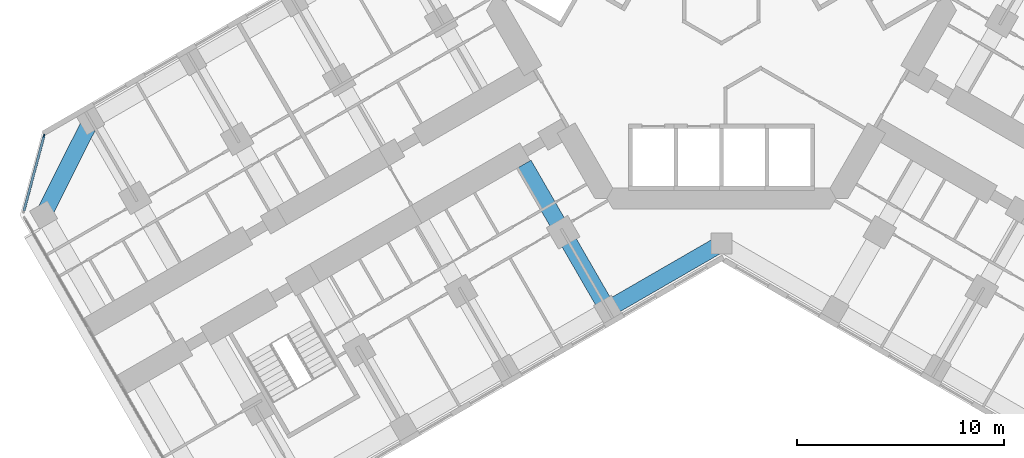
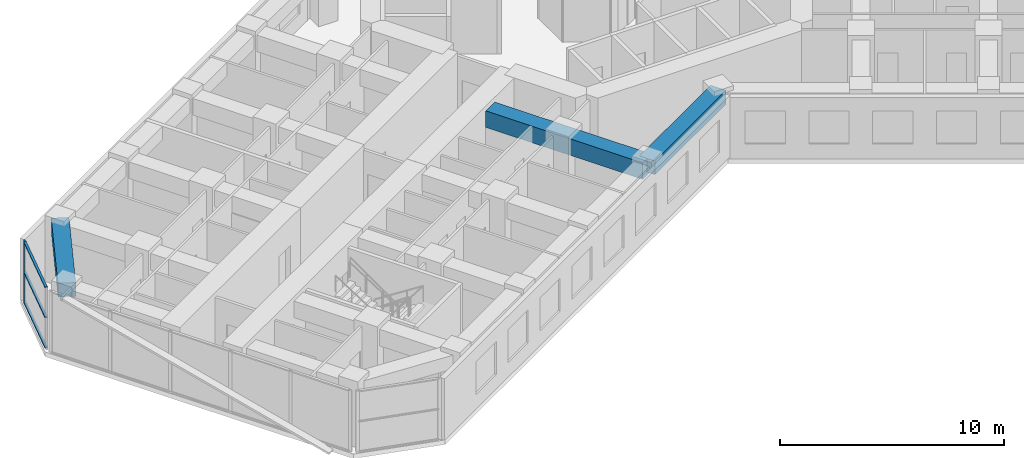
# One storey, part 3 of 21: 4 members, 3 beams, 1 element without a shape of its own.
"""IFC4 building model written with IfcOpenShell, lengths in metres."""

from ifc_helpers import new_model, si_unit, direction, frame, origin, origin_2d, place, context, subcontext, project, spatial, rectangle, extrude, material, material_profile, profile_set, type_object, element, aggregate, save


model = new_model("IFC4")

# Units and contexts
model_context = context("Model", 3, precision=1e-05, world=origin(), true_north=direction((0.0, 1.0)))
body_context = subcontext(model_context, "Body", "Model", "MODEL_VIEW")
ifc_project = project(units=[si_unit("LENGTHUNIT", "METRE"), si_unit("AREAUNIT", "SQUARE_METRE"), si_unit("VOLUMEUNIT", "CUBIC_METRE"), si_unit("PLANEANGLEUNIT", "RADIAN"), si_unit("MASSUNIT", "GRAM", prefix="KILO")], contexts=[model_context])

# Site, building, storey
site_placement = place(None, origin())
site = spatial("IfcSite", under=ifc_project, at=site_placement, CompositionType="ELEMENT")
building_placement = place(site_placement, origin())
building = spatial("IfcBuilding", under=site, at=building_placement, Name="Kosmar Iwan School Tower", CompositionType="ELEMENT")
storey_placement = place(building_placement, frame((0.0, 0.0, 57.39990234375)))
storey = spatial("IfcBuildingStorey", under=building, at=storey_placement, Name="L13", CompositionType="ELEMENT", Elevation=57.39990234375)

# Curtain wall, member
ifc_material_1 = material(Name="Dark glass in black aluminium frame", Category="aluminium")
curtain_wall_type = type_object("IfcCurtainWallType", Name="Chamfer curtain wall dark glass", PredefinedType="USERDEFINED", material=ifc_material_1)
curtain_wall_placement = place(storey_placement, origin())
curtain_wall = element("IfcCurtainWall", 1, at=curtain_wall_placement, inside=storey, type_object=curtain_wall_type, Name="Curtain wall L13-F12", ObjectType="FACETED CURTAIN WALL", PredefinedType="USERDEFINED")
ifc_material_2 = material(Name="Black anodised aluminium", Category="aluminium")
ifc_material_profile_1 = material_profile(ifc_material_2, rectangle(XDim=0.06005859375, YDim=0.159912109375, at=origin_2d()), Name="MULLION 60x160")
ifc_profile_set_1 = profile_set([ifc_material_profile_1], Name="Black anodised aluminium")
member_type_1 = type_object("IfcMemberType", Name="Mullion 60x160", PredefinedType="MULLION", material=ifc_profile_set_1)
member_1_placement = place(storey_placement, frame((-32.78076171875, -6.5732421875, 0.0), z_axis=(0.0, 0.0, 1.0), x_axis=(0.965925875495, -0.258818861462, 0.0)))
member_1 = element("IfcMember", 2, at=member_1_placement, type_object=member_type_1, Name="CW2 mullion 1", PredefinedType="MULLION", context=body_context, shape_type="SweptSolid", body=[
    extrude(rectangle(XDim=0.06005859375, YDim=0.159912109375, at=origin_2d()), origin(), (0.0, 0.0, 1.0), 3.35009765625),
])

# Beams
ifc_material_3 = material(Name="Concrete C50/60", Category="concrete")
ifc_material_profile_2 = material_profile(ifc_material_3, rectangle(XDim=0.800048828125, YDim=0.75, at=origin_2d()), Name="RC 800x750")
ifc_profile_set_2 = profile_set([ifc_material_profile_2], Name="Concrete C50/60")
beam_type_1 = type_object("IfcBeamType", Name="RC edge beam 800x750", PredefinedType="BEAM", material=ifc_profile_set_2)
beam_1_placement = place(storey_placement, frame((0.0, -11.77783203125, 2.97509765625), z_axis=(-0.866014293216, -0.500019243575, 0.0), x_axis=(0.500019243575, -0.866014293216, 0.0)))
element("IfcBeam", 3, at=beam_1_placement, inside=storey, type_object=beam_type_1, Name="Edge beam BL1", PredefinedType="BEAM", context=body_context, shape_type="SweptSolid", body=[
    extrude(rectangle(XDim=0.800048828125, YDim=0.75, at=origin_2d()), origin(), (0.0, 0.0, 1.0), 6.361083984375),
])
ifc_material_4 = material(Name="Concrete C50/60", Category="concrete")
ifc_material_profile_3 = material_profile(ifc_material_4, rectangle(XDim=0.800048828125, YDim=0.75, at=origin_2d()), Name="RC 800x750")
ifc_profile_set_3 = profile_set([ifc_material_profile_3], Name="Concrete C50/60")
beam_type_2 = type_object("IfcBeamType", Name="RC tip beam 800x750", PredefinedType="BEAM", material=ifc_profile_set_3)
beam_2_placement = place(storey_placement, frame((-30.517822265625, -5.841552734375, 2.97509765625), z_axis=(-0.44809604203, -0.893985423325, 0.0), x_axis=(0.893985423325, -0.44809604203, 0.0)))
element("IfcBeam", 4, at=beam_2_placement, inside=storey, type_object=beam_type_2, Name="Tip beam BR", PredefinedType="BEAM", context=body_context, shape_type="SweptSolid", body=[
    extrude(rectangle(XDim=0.800048828125, YDim=0.75, at=origin_2d()), origin(), (0.0, 0.0, 1.0), 5.08935546875),
])
ifc_material_5 = material(Name="Concrete C50/60", Category="concrete")
ifc_material_profile_4 = material_profile(ifc_material_5, rectangle(XDim=0.800048828125, YDim=0.89990234375, at=origin_2d()), Name="RC 800x900")
ifc_profile_set_4 = profile_set([ifc_material_profile_4], Name="Concrete C50/60")
beam_type_3 = type_object("IfcBeamType", Name="RC transverse beam 800x900", PredefinedType="BEAM", material=ifc_profile_set_4)
beam_3_placement = place(storey_placement, frame((-5.5087890625, -14.95849609375, 2.900146484375), z_axis=(-0.499999880539, 0.866025472755, 0.0), x_axis=(-0.866025472755, -0.499999880539, 0.0)))
element("IfcBeam", 5, at=beam_3_placement, inside=storey, type_object=beam_type_3, Name="Transverse beam BL1", PredefinedType="BEAM", context=body_context, shape_type="SweptSolid", body=[
    extrude(rectangle(XDim=0.800048828125, YDim=0.89990234375, at=origin_2d()), origin(), (0.0, 0.0, 1.0), 8.10009765625),
])

# Member
ifc_material_6 = material(Name="Black anodised aluminium", Category="aluminium")
ifc_material_profile_5 = material_profile(ifc_material_6, rectangle(XDim=0.1201171875, YDim=0.06005859375, at=origin_2d()), Name="TRANSOM 60x120")
ifc_profile_set_5 = profile_set([ifc_material_profile_5], Name="Black anodised aluminium")
member_type_2 = type_object("IfcMemberType", Name="Transom 60x120", PredefinedType="USERDEFINED", material=ifc_profile_set_5)
member_2_placement = place(storey_placement, frame((-32.788330078125, -6.602294921875, 0.030029296875), z_axis=(-0.258843273983, -0.965919333854, 0.0), x_axis=(0.965919333854, -0.258843273983, 0.0)))
member_2 = element("IfcMember", 6, at=member_2_placement, type_object=member_type_2, Name="CW2 transom 1.1", ObjectType="TRANSOM", PredefinedType="USERDEFINED", context=body_context, shape_type="SweptSolid", body=[
    extrude(rectangle(XDim=0.1201171875, YDim=0.06005859375, at=origin_2d()), origin(), (0.0, 0.0, 1.0), 3.718994140625),
])

member_3_placement = place(storey_placement, frame((-32.788330078125, -6.602294921875, 1.675048828125), z_axis=(-0.258843273983, -0.965919333854, 0.0), x_axis=(0.965919333854, -0.258843273983, 0.0)))
member_3 = element("IfcMember", 7, at=member_3_placement, type_object=member_type_2, Name="CW2 transom 1.2", ObjectType="TRANSOM", PredefinedType="USERDEFINED", context=body_context, shape_type="SweptSolid", body=[
    extrude(rectangle(XDim=0.1201171875, YDim=0.06005859375, at=origin_2d()), origin(), (0.0, 0.0, 1.0), 3.718994140625),
])

member_4_placement = place(storey_placement, frame((-32.788330078125, -6.602294921875, 3.320068359375), z_axis=(-0.258843273983, -0.965919333854, 0.0), x_axis=(0.965919333854, -0.258843273983, 0.0)))
member_4 = element("IfcMember", 8, at=member_4_placement, type_object=member_type_2, Name="CW2 transom 1.3", ObjectType="TRANSOM", PredefinedType="USERDEFINED", context=body_context, shape_type="SweptSolid", body=[
    extrude(rectangle(XDim=0.1201171875, YDim=0.06005859375, at=origin_2d()), origin(), (0.0, 0.0, 1.0), 3.718994140625),
])

aggregate(curtain_wall, [member_1, member_2, member_3, member_4])

save(model, "model.ifc")
